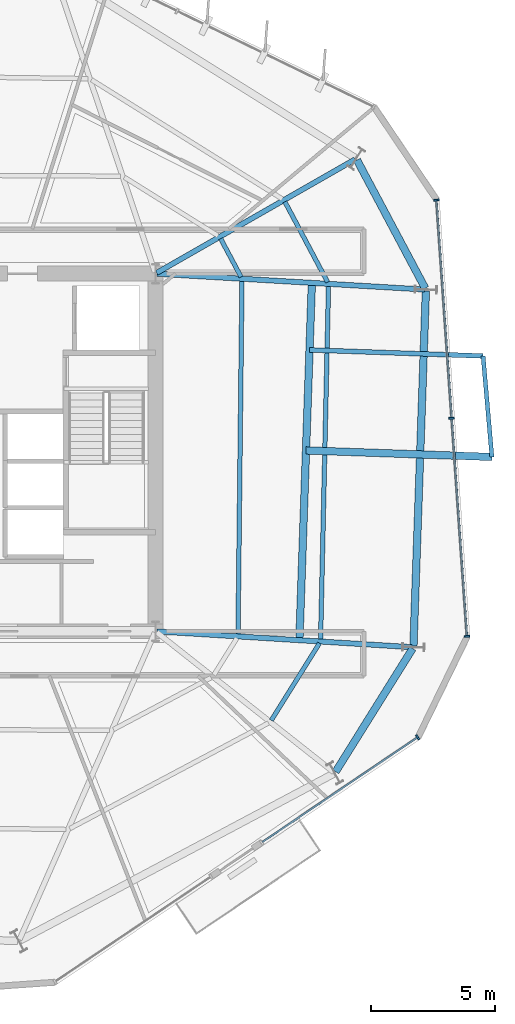
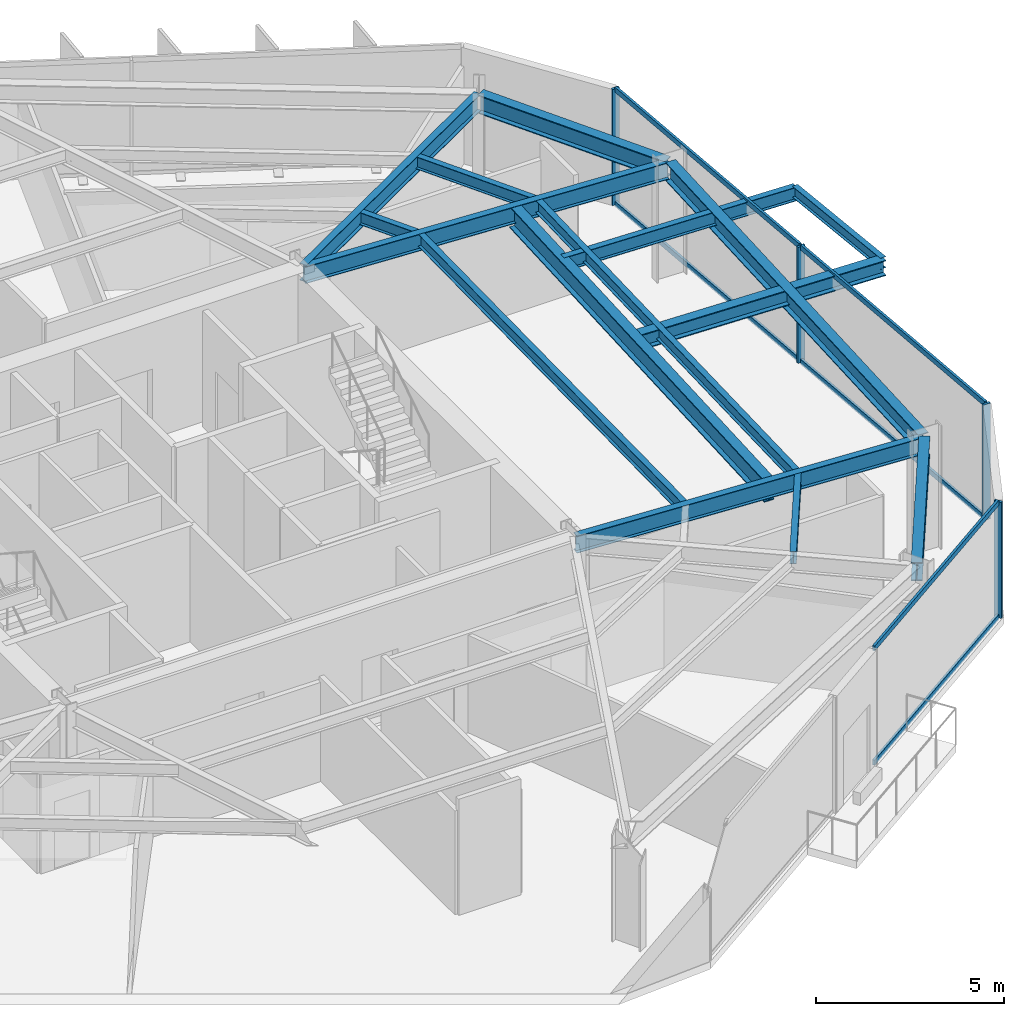
# One storey, part 4 of 14: 15 beams, 10 members, 2 elements without a shape of their own.
"""IFC4 building model written with IfcOpenShell, lengths in metres."""

from ifc_helpers import new_model, si_unit, direction, frame, origin, origin_2d, place, context, subcontext, project, spatial, rectangle, i_section, extrude, material, layer, layer_set, material_profile, profile_set, type_object, element, aggregate, save


model = new_model("IFC4")

# Units and contexts
model_context = context("Model", 3, precision=1e-05, world=origin(), true_north=direction((0.0, 1.0)))
body_context = subcontext(model_context, "Body", "Model", "MODEL_VIEW")
ifc_project = project(units=[si_unit("LENGTHUNIT", "METRE"), si_unit("AREAUNIT", "SQUARE_METRE"), si_unit("VOLUMEUNIT", "CUBIC_METRE"), si_unit("PLANEANGLEUNIT", "RADIAN"), si_unit("MASSUNIT", "GRAM", prefix="KILO")], contexts=[model_context])

# Site, building, storey
site_placement = place(None, origin())
site = spatial("IfcSite", under=ifc_project, at=site_placement, CompositionType="ELEMENT")
building_placement = place(site_placement, origin())
building = spatial("IfcBuilding", under=site, at=building_placement, Name="Kranzbogen Civic Tower", CompositionType="ELEMENT")
storey_placement = place(building_placement, frame((0.0, 0.0, 158.39990234375)))
storey = spatial("IfcBuildingStorey", under=building, at=storey_placement, Name="L38", CompositionType="ELEMENT", Elevation=158.39990234375)

# Beam
ifc_material_1 = material(Name="Steel S355", Category="steel")
ifc_material_profile_1 = material_profile(ifc_material_1, i_section(OverallWidth=0.18994140625, OverallDepth=0.449951171875, WebThickness=0.009521484375, FlangeThickness=0.0146484375, at=origin_2d()), Name="IPE 450")
ifc_profile_set_1 = profile_set([ifc_material_profile_1], Name="Steel S355")
beam_type_1 = type_object("IfcBeamType", Name="Braced Terrace Edge Beam IPE 450", PredefinedType="BEAM", material=ifc_profile_set_1)
beam_1_placement = place(storey_placement, frame((39.00390625, 29.1279296875, 3.525146484375), z_axis=(0.999391481026, -0.034880763356, 0.0), x_axis=(0.034880763356, 0.999391481026, 0.0)))
element("IfcBeam", 1, at=beam_1_placement, inside=storey, type_object=beam_type_1, Name="L39 back-spanned terrace beam L39-TB1-2", PredefinedType="BEAM", context=body_context, shape_type="SweptSolid", body=[
    extrude(i_section(OverallWidth=0.18994140625, OverallDepth=0.449951171875, WebThickness=0.009521484375, FlangeThickness=0.0146484375, at=origin_2d()), origin(), (0.0, 0.0, 1.0), 6.9921875),
])

# Curtain wall, member
ifc_material_2 = material(Name="Pale Anodised Aluminium", Category="aluminium")
ifc_layer = layer(ifc_material_2, 0.219970703125, Name="Pale Anodised Aluminium")
ifc_layer_set = layer_set([ifc_layer], Name="Pale Anodised Aluminium")
curtain_wall_type = type_object("IfcCurtainWallType", Name="Zone 2 Stick Curtain Wall System CW-03", PredefinedType="USERDEFINED", material=ifc_layer_set)
curtain_wall_1_placement = place(storey_placement, origin())
curtain_wall_1 = element("IfcCurtainWall", 2, at=curtain_wall_1_placement, inside=storey, type_object=curtain_wall_type, Name="L38 curtain wall CW-L38-F5-S2", ObjectType="STICK CURTAIN WALL", PredefinedType="USERDEFINED")
ifc_material_profile_2 = material_profile(ifc_material_2, rectangle(XDim=0.074951171875, YDim=0.219970703125, at=origin_2d()), Name="ALU-M 75x220")
ifc_profile_set_2 = profile_set([ifc_material_profile_2], Name="Pale Anodised Aluminium")
member_type_1 = type_object("IfcMemberType", Name="Curtain Wall Mullion ALU-M 75x220", PredefinedType="MULLION", material=ifc_profile_set_2)
member_1_placement = place(storey_placement, frame((43.355224609375, 13.53125, 0.0), z_axis=(0.0, 0.0, 1.0), x_axis=(0.829035410899, 0.559196108244, 0.0)))
member_1 = element("IfcMember", 3, at=member_1_placement, type_object=member_type_1, Name="CW-03 mullion 2", PredefinedType="MULLION", context=body_context, shape_type="SweptSolid", body=[
    extrude(rectangle(XDim=0.074951171875, YDim=0.219970703125, at=origin_2d()), origin(), (0.0, 0.0, 1.0), 3.760009765625),
])

# Curtain wall, members
curtain_wall_2_placement = place(storey_placement, origin())
curtain_wall_2 = element("IfcCurtainWall", 4, at=curtain_wall_2_placement, inside=storey, type_object=curtain_wall_type, Name="L38 curtain wall CW-L38-F6", ObjectType="STICK CURTAIN WALL", PredefinedType="USERDEFINED")
member_2_placement = place(storey_placement, frame((45.3388671875, 17.596923828125, 0.0), z_axis=(0.0, 0.0, 1.0), x_axis=(-0.069843208453, 0.997557981389, 0.0)))
member_2 = element("IfcMember", 5, at=member_2_placement, type_object=member_type_1, Name="CW-03 mullion 1", PredefinedType="MULLION", context=body_context, shape_type="SweptSolid", body=[
    extrude(rectangle(XDim=0.074951171875, YDim=0.219970703125, at=origin_2d()), origin(), (0.0, 0.0, 1.0), 3.760009765625),
])
member_3_placement = place(storey_placement, frame((44.72412109375, 26.37939453125, 0.0), z_axis=(0.0, 0.0, 1.0), x_axis=(-0.069843208453, 0.997557981389, 0.0)))
member_3 = element("IfcMember", 6, at=member_3_placement, type_object=member_type_1, Name="CW-03 mullion 2", PredefinedType="MULLION", context=body_context, shape_type="SweptSolid", body=[
    extrude(rectangle(XDim=0.074951171875, YDim=0.219970703125, at=origin_2d()), origin(), (0.0, 0.0, 1.0), 3.760009765625),
])
member_4_placement = place(storey_placement, frame((44.109130859375, 35.162109375, 0.0), z_axis=(0.0, 0.0, 1.0), x_axis=(-0.069843208453, 0.997557981389, 0.0)))
member_4 = element("IfcMember", 7, at=member_4_placement, type_object=member_type_1, Name="CW-03 mullion 3", PredefinedType="MULLION", context=body_context, shape_type="SweptSolid", body=[
    extrude(rectangle(XDim=0.074951171875, YDim=0.219970703125, at=origin_2d()), origin(), (0.0, 0.0, 1.0), 3.760009765625),
])

# Member
ifc_material_profile_3 = material_profile(ifc_material_2, rectangle(XDim=0.074951171875, YDim=0.1650390625, at=origin_2d()), Name="ALU-T 75x165")
ifc_profile_set_3 = profile_set([ifc_material_profile_3], Name="Pale Anodised Aluminium")
member_type_2 = type_object("IfcMemberType", Name="Curtain Wall Transom ALU-T 75x165", PredefinedType="USERDEFINED", material=ifc_profile_set_3)
member_5_placement = place(storey_placement, frame((37.100830078125, 9.3125, 0.030029296875), z_axis=(0.829033947243, 0.559198278179, 0.0), x_axis=(-0.559198278179, 0.829033947243, 0.0)))
member_5 = element("IfcMember", 8, at=member_5_placement, type_object=member_type_2, Name="CW-03 transom 1.1", ObjectType="TRANSOM", PredefinedType="USERDEFINED", context=body_context, shape_type="SweptSolid", body=[
    extrude(rectangle(XDim=0.074951171875, YDim=0.1650390625, at=origin_2d()), origin(), (0.0, 0.0, 1.0), 7.51416015625),
])

member_6_placement = place(storey_placement, frame((37.100830078125, 9.3125, 3.72998046875), z_axis=(0.829033947243, 0.559198278179, 0.0), x_axis=(-0.559198278179, 0.829033947243, 0.0)))
member_6 = element("IfcMember", 9, at=member_6_placement, type_object=member_type_2, Name="CW-03 transom 1.2", ObjectType="TRANSOM", PredefinedType="USERDEFINED", context=body_context, shape_type="SweptSolid", body=[
    extrude(rectangle(XDim=0.074951171875, YDim=0.1650390625, at=origin_2d()), origin(), (0.0, 0.0, 1.0), 7.51416015625),
])

aggregate(curtain_wall_1, [member_1, member_5, member_6])

member_7_placement = place(storey_placement, frame((45.3369140625, 17.626953125, 0.030029296875), z_axis=(-0.069858023787, 0.997556943995, 0.0), x_axis=(-0.997556943995, -0.069858023787, 0.0)))
member_7 = element("IfcMember", 10, at=member_7_placement, type_object=member_type_2, Name="CW-03 transom 1.1", ObjectType="TRANSOM", PredefinedType="USERDEFINED", context=body_context, shape_type="SweptSolid", body=[
    extrude(rectangle(XDim=0.074951171875, YDim=0.1650390625, at=origin_2d()), origin(), (0.0, 0.0, 1.0), 8.743896484375),
])

member_8_placement = place(storey_placement, frame((45.3369140625, 17.626953125, 3.72998046875), z_axis=(-0.069858023787, 0.997556943995, 0.0), x_axis=(-0.997556943995, -0.069858023787, 0.0)))
member_8 = element("IfcMember", 11, at=member_8_placement, type_object=member_type_2, Name="CW-03 transom 1.2", ObjectType="TRANSOM", PredefinedType="USERDEFINED", context=body_context, shape_type="SweptSolid", body=[
    extrude(rectangle(XDim=0.074951171875, YDim=0.1650390625, at=origin_2d()), origin(), (0.0, 0.0, 1.0), 8.743896484375),
])

member_9_placement = place(storey_placement, frame((44.721923828125, 26.409423828125, 0.030029296875), z_axis=(-0.069858023787, 0.997556943995, 0.0), x_axis=(-0.997556943995, -0.069858023787, 0.0)))
member_9 = element("IfcMember", 12, at=member_9_placement, type_object=member_type_2, Name="CW-03 transom 2.1", ObjectType="TRANSOM", PredefinedType="USERDEFINED", context=body_context, shape_type="SweptSolid", body=[
    extrude(rectangle(XDim=0.074951171875, YDim=0.1650390625, at=origin_2d()), origin(), (0.0, 0.0, 1.0), 8.743896484375),
])

member_10_placement = place(storey_placement, frame((44.721923828125, 26.409423828125, 3.72998046875), z_axis=(-0.069858023787, 0.997556943995, 0.0), x_axis=(-0.997556943995, -0.069858023787, 0.0)))
member_10 = element("IfcMember", 13, at=member_10_placement, type_object=member_type_2, Name="CW-03 transom 2.2", ObjectType="TRANSOM", PredefinedType="USERDEFINED", context=body_context, shape_type="SweptSolid", body=[
    extrude(rectangle(XDim=0.074951171875, YDim=0.1650390625, at=origin_2d()), origin(), (0.0, 0.0, 1.0), 8.743896484375),
])

aggregate(curtain_wall_2, [member_2, member_3, member_4, member_7, member_8, member_9, member_10])

# Beams
ifc_material_profile_4 = material_profile(ifc_material_1, i_section(OverallWidth=0.300048828125, OverallDepth=0.5, WebThickness=0.014404296875, FlangeThickness=0.028076171875, at=origin_2d()), Name="HEB 500")
ifc_profile_set_4 = profile_set([ifc_material_profile_4], Name="Steel S355")
beam_type_2 = type_object("IfcBeamType", Name="Perimeter Tube Spandrel Beam HEB 500", PredefinedType="SPANDREL", material=ifc_profile_set_4)
beam_2_placement = place(storey_placement, frame((38.863037109375, 25.0810546875, 3.5), z_axis=(0.999388096346, -0.034977605433, 0.0), x_axis=(0.034977605433, 0.999388096346, 0.0)))
element("IfcBeam", 14, at=beam_2_placement, inside=storey, type_object=beam_type_2, Name="L39 back-spanned terrace beam L39-TB1-1", PredefinedType="SPANDREL", context=body_context, shape_type="SweptSolid", body=[
    extrude(i_section(OverallWidth=0.300048828125, OverallDepth=0.5, WebThickness=0.014404296875, FlangeThickness=0.028076171875, at=origin_2d()), origin(), (0.0, 0.0, 1.0), 7.489501953125),
])
ifc_material_profile_5 = material_profile(ifc_material_1, i_section(OverallWidth=0.300048828125, OverallDepth=0.60009765625, WebThickness=0.015380859375, FlangeThickness=0.030029296875, at=origin_2d()), Name="HEB 600")
ifc_profile_set_5 = profile_set([ifc_material_profile_5], Name="Steel S355")
beam_type_3 = type_object("IfcBeamType", Name="Perimeter Tube Spandrel Beam HEB 600", PredefinedType="SPANDREL", material=ifc_profile_set_5)
beam_3_placement = place(storey_placement, frame((40.054931640625, 12.14306640625, 3.460205078125), z_axis=(0.529863902903, 0.848082687242, 0.0), x_axis=(-0.848082687242, 0.529863902903, 0.0)))
element("IfcBeam", 15, at=beam_3_placement, inside=storey, type_object=beam_type_3, Name="L38 perimeter spandrel beam 05", PredefinedType="SPANDREL", context=body_context, shape_type="SweptSolid", body=[
    extrude(i_section(OverallWidth=0.300048828125, OverallDepth=0.60009765625, WebThickness=0.015380859375, FlangeThickness=0.030029296875, at=origin_2d()), origin(), (0.0, 0.0, 1.0), 5.850830078125),
])
beam_4_placement = place(storey_placement, frame((43.18896484375, 17.216064453125, 3.460205078125), z_axis=(0.034924229103, 0.999389963038, 0.0), x_axis=(-0.999389963038, 0.034924229103, 0.0)))
element("IfcBeam", 16, at=beam_4_placement, inside=storey, type_object=beam_type_3, Name="L38 perimeter spandrel beam 06", PredefinedType="SPANDREL", context=body_context, shape_type="SweptSolid", body=[
    extrude(i_section(OverallWidth=0.300048828125, OverallDepth=0.60009765625, WebThickness=0.015380859375, FlangeThickness=0.030029296875, at=origin_2d()), origin(), (0.0, 0.0, 1.0), 14.288818359375),
])
beam_5_placement = place(storey_placement, frame((43.662109375, 31.60888671875, 3.460205078125), z_axis=(-0.469565926668, 0.882897412224, 0.0), x_axis=(-0.882897412224, -0.469565926668, 0.0)))
element("IfcBeam", 17, at=beam_5_placement, inside=storey, type_object=beam_type_3, Name="L38 perimeter spandrel beam 07", PredefinedType="SPANDREL", context=body_context, shape_type="SweptSolid", body=[
    extrude(i_section(OverallWidth=0.300048828125, OverallDepth=0.60009765625, WebThickness=0.015380859375, FlangeThickness=0.030029296875, at=origin_2d()), origin(), (0.0, 0.0, 1.0), 5.852294921875),
])
ifc_material_profile_6 = material_profile(ifc_material_1, i_section(OverallWidth=0.300048828125, OverallDepth=0.699951171875, WebThickness=0.01708984375, FlangeThickness=0.031982421875, at=origin_2d()), Name="HEB 700")
ifc_profile_set_6 = profile_set([ifc_material_profile_6], Name="Steel S355")
beam_type_4 = type_object("IfcBeamType", Name="Perimeter Tube Spandrel Beam HEB 700", PredefinedType="SPANDREL", material=ifc_profile_set_6)
beam_6_placement = place(storey_placement, frame((38.595947265625, 17.44091796875, 3.400146484375), z_axis=(0.034868227602, 0.99939191847, 0.0), x_axis=(-0.99939191847, 0.034868227602, 0.0)))
element("IfcBeam", 18, at=beam_6_placement, inside=storey, type_object=beam_type_4, Name="L39 balcony back-span header girder L39-TB1", PredefinedType="SPANDREL", context=body_context, shape_type="SweptSolid", body=[
    extrude(i_section(OverallWidth=0.300048828125, OverallDepth=0.699951171875, WebThickness=0.01708984375, FlangeThickness=0.031982421875, at=origin_2d()), origin(), (0.0, 0.0, 1.0), 14.395751953125),
])
ifc_material_profile_7 = material_profile(ifc_material_1, i_section(OverallWidth=0.2099609375, OverallDepth=0.550048828125, WebThickness=0.010986328125, FlangeThickness=0.01708984375, at=origin_2d()), Name="IPE 550")
ifc_profile_set_7 = profile_set([ifc_material_profile_7], Name="Steel S355")
beam_type_5 = type_object("IfcBeamType", Name="Radial Tower Floor Girder IPE 550", PredefinedType="BEAM", material=ifc_profile_set_7)
beam_7_placement = place(storey_placement, frame((43.126953125, 17.159912109375, 3.485107421875), z_axis=(-0.998086872961, 0.061827130147, 0.0), x_axis=(-0.061827130147, -0.998086872961, 0.0)))
element("IfcBeam", 19, at=beam_7_placement, inside=storey, type_object=beam_type_5, Name="L38 radial floor girder 06", PredefinedType="BEAM", context=body_context, shape_type="SweptSolid", body=[
    extrude(i_section(OverallWidth=0.2099609375, OverallDepth=0.550048828125, WebThickness=0.010986328125, FlangeThickness=0.01708984375, at=origin_2d()), origin(), (0.0, 0.0, 1.0), 10.28662109375),
])
beam_8_placement = place(storey_placement, frame((43.6298828125, 31.56005859375, 3.485107421875), z_axis=(-0.998260925387, 0.058950189528, 0.0), x_axis=(-0.058950189528, -0.998260925387, 0.0)))
element("IfcBeam", 20, at=beam_8_placement, inside=storey, type_object=beam_type_5, Name="L38 radial floor girder 07", PredefinedType="BEAM", context=body_context, shape_type="SweptSolid", body=[
    extrude(i_section(OverallWidth=0.2099609375, OverallDepth=0.550048828125, WebThickness=0.010986328125, FlangeThickness=0.01708984375, at=origin_2d()), origin(), (0.0, 0.0, 1.0), 10.78857421875),
])
beam_9_placement = place(storey_placement, frame((40.833984375, 36.799072265625, 3.485107421875), z_axis=(-0.867868812182, -0.496793442833, 0.0), x_axis=(0.496793442833, -0.867868812182, 0.0)))
element("IfcBeam", 21, at=beam_9_placement, inside=storey, type_object=beam_type_5, Name="L38 radial floor girder 08", PredefinedType="BEAM", context=body_context, shape_type="SweptSolid", body=[
    extrude(i_section(OverallWidth=0.2099609375, OverallDepth=0.550048828125, WebThickness=0.010986328125, FlangeThickness=0.01708984375, at=origin_2d()), origin(), (0.0, 0.0, 1.0), 9.197265625),
])
ifc_material_profile_8 = material_profile(ifc_material_1, i_section(OverallWidth=0.169921875, OverallDepth=0.360107421875, WebThickness=0.008056640625, FlangeThickness=0.0126953125, at=origin_2d()), Name="IPE 360")
ifc_profile_set_8 = profile_set([ifc_material_profile_8], Name="Steel S355")
beam_type_6 = type_object("IfcBeamType", Name="Secondary Composite Floor Joist IPE 360", PredefinedType="JOIST", material=ifc_profile_set_8)
beam_10_placement = place(storey_placement, frame((46.347900390625, 24.819091796875, 3.570068359375), z_axis=(-0.08723374865, 0.996187870382, 0.0), x_axis=(-0.996187870382, -0.08723374865, 0.0)))
element("IfcBeam", 22, at=beam_10_placement, inside=storey, type_object=beam_type_6, Name="L39 terrace outer edge trimmer L39-TB1", PredefinedType="JOIST", context=body_context, shape_type="SweptSolid", body=[
    extrude(i_section(OverallWidth=0.169921875, OverallDepth=0.360107421875, WebThickness=0.008056640625, FlangeThickness=0.0126953125, at=origin_2d()), origin(), (0.0, 0.0, 1.0), 4.08056640625),
])
ifc_material_profile_9 = material_profile(ifc_material_1, i_section(OverallWidth=0.179931640625, OverallDepth=0.39990234375, WebThickness=0.008544921875, FlangeThickness=0.013427734375, at=origin_2d()), Name="IPE 400")
ifc_profile_set_9 = profile_set([ifc_material_profile_9], Name="Steel S355")
beam_type_7 = type_object("IfcBeamType", Name="Secondary Composite Floor Joist IPE 400", PredefinedType="JOIST", material=ifc_profile_set_9)
beam_11_placement = place(storey_placement, frame((37.465087890625, 14.215087890625, 3.56005859375), z_axis=(0.529867065107, 0.848080711557, 0.0), x_axis=(-0.848080711557, 0.529867065107, 0.0)))
element("IfcBeam", 23, at=beam_11_placement, inside=storey, type_object=beam_type_7, Name="L38 secondary floor joist 1.05", PredefinedType="JOIST", context=body_context, shape_type="SweptSolid", body=[
    extrude(i_section(OverallWidth=0.179931640625, OverallDepth=0.39990234375, WebThickness=0.008544921875, FlangeThickness=0.013427734375, at=origin_2d()), origin(), (0.0, 0.0, 1.0), 3.6611328125),
])
beam_12_placement = place(storey_placement, frame((39.448974609375, 17.468017578125, 3.56005859375), z_axis=(0.022402523442, 0.999749031979, 0.0), x_axis=(-0.999749031979, 0.022402523442, 0.0)))
element("IfcBeam", 24, at=beam_12_placement, inside=storey, type_object=beam_type_7, Name="L38 secondary floor joist 1.06", PredefinedType="JOIST", context=body_context, shape_type="SweptSolid", body=[
    extrude(i_section(OverallWidth=0.179931640625, OverallDepth=0.39990234375, WebThickness=0.008544921875, FlangeThickness=0.013427734375, at=origin_2d()), origin(), (0.0, 0.0, 1.0), 14.24365234375),
])
beam_13_placement = place(storey_placement, frame((36.125, 17.674072265625, 3.56005859375), z_axis=(0.011160516663, 0.999937719494, 0.0), x_axis=(-0.999937719494, 0.011160516663, 0.0)))
element("IfcBeam", 25, at=beam_13_placement, inside=storey, type_object=beam_type_7, Name="L38 secondary floor joist 2.06", PredefinedType="JOIST", context=body_context, shape_type="SweptSolid", body=[
    extrude(i_section(OverallWidth=0.179931640625, OverallDepth=0.39990234375, WebThickness=0.008544921875, FlangeThickness=0.013427734375, at=origin_2d()), origin(), (0.0, 0.0, 1.0), 14.240966796875),
])
beam_14_placement = place(storey_placement, frame((39.73193359375, 31.85791015625, 3.56005859375), z_axis=(-0.469338791783, 0.88301817565, 0.0), x_axis=(-0.88301817565, -0.469338791783, 0.0)))
element("IfcBeam", 26, at=beam_14_placement, inside=storey, type_object=beam_type_7, Name="L38 secondary floor joist 1.07", PredefinedType="JOIST", context=body_context, shape_type="SweptSolid", body=[
    extrude(i_section(OverallWidth=0.179931640625, OverallDepth=0.39990234375, WebThickness=0.008544921875, FlangeThickness=0.013427734375, at=origin_2d()), origin(), (0.0, 0.0, 1.0), 3.66259765625),
])
beam_15_placement = place(storey_placement, frame((36.2470703125, 32.06494140625, 3.56005859375), z_axis=(-0.46943723363, 0.882965845139, 0.0), x_axis=(-0.882965845139, -0.46943723363, 0.0)))
element("IfcBeam", 27, at=beam_15_placement, inside=storey, type_object=beam_type_7, Name="L38 secondary floor joist 2.07", PredefinedType="JOIST", context=body_context, shape_type="SweptSolid", body=[
    extrude(i_section(OverallWidth=0.179931640625, OverallDepth=0.39990234375, WebThickness=0.008544921875, FlangeThickness=0.013427734375, at=origin_2d()), origin(), (0.0, 0.0, 1.0), 1.7509765625),
])

save(model, "model.ifc")
